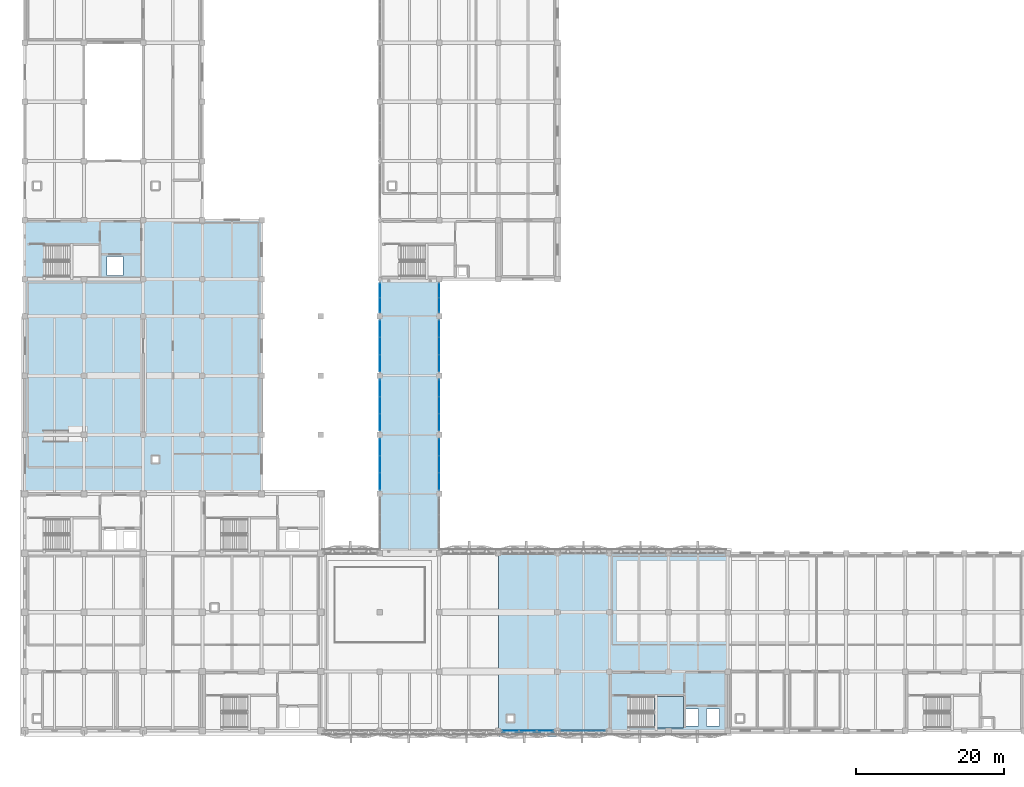
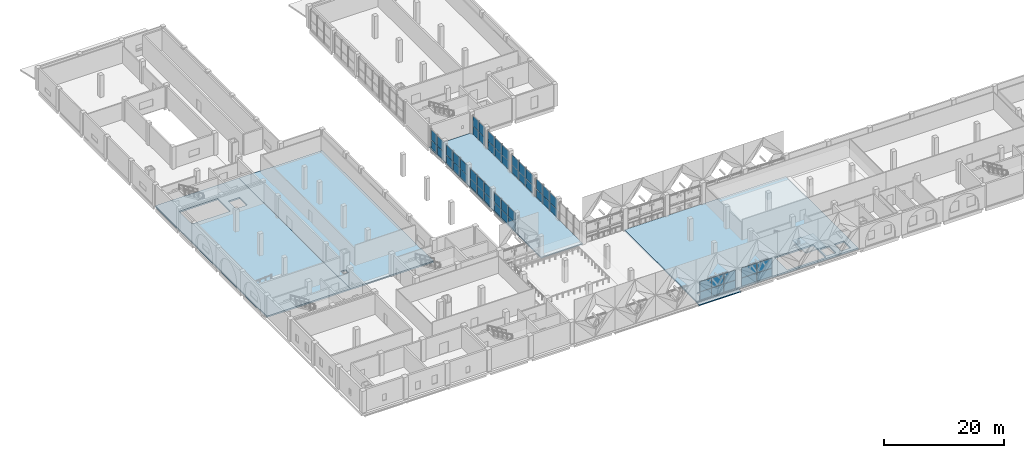
# One storey, part 23 of 53: 54 plates, 6 slabs, 12 elements without a shape of their own.
"""IFC4 building model written with IfcOpenShell, lengths in metres."""

from ifc_helpers import new_model, si_unit, direction, frame, origin, origin_2d, place, context, subcontext, project, spatial, polyline, rectangle, outline, extrude, material, layer, layer_set, type_object, element, aggregate, save


model = new_model("IFC4")

# Units and contexts
model_context = context("Model", 3, precision=1e-05, world=origin(), true_north=direction((0.0, 1.0)))
body_context = subcontext(model_context, "Body", "Model", "MODEL_VIEW")
ifc_project = project(units=[si_unit("LENGTHUNIT", "METRE"), si_unit("AREAUNIT", "SQUARE_METRE"), si_unit("VOLUMEUNIT", "CUBIC_METRE"), si_unit("PLANEANGLEUNIT", "RADIAN"), si_unit("MASSUNIT", "GRAM", prefix="KILO")], contexts=[model_context])

# Site, building, storey
site_placement = place(None, origin())
site = spatial("IfcSite", under=ifc_project, at=site_placement, CompositionType="ELEMENT")
building_placement = place(site_placement, origin())
building = spatial("IfcBuilding", under=site, at=building_placement, Name="Qorikala Patio Media Centre", CompositionType="ELEMENT")
storey_placement = place(building_placement, frame((0.0, 0.0, 5.39990234375)))
storey = spatial("IfcBuildingStorey", under=building, at=storey_placement, Name="L01", CompositionType="ELEMENT", Elevation=5.39990234375)

# Curtain wall, plates
ifc_material_1 = material(Name="Bronze Anodised Aluminium and Low-E Glass", Category="aluminium")
ifc_layer_1 = layer(ifc_material_1, 0.159912109375)
ifc_layer_set_1 = layer_set([ifc_layer_1], Name="Bronze Anodised Aluminium and Low-E Glass")
curtain_wall_type_1 = type_object("IfcCurtainWallType", Name="CW-BRG-696X385", PredefinedType="USERDEFINED", material=ifc_layer_set_1)
curtain_wall_1_placement = place(storey_placement, origin())
curtain_wall_1 = element("IfcCurtainWall", 1, at=curtain_wall_1_placement, inside=storey, type_object=curtain_wall_type_1, Name="L01 Courtyard Curtain Wall 017", ObjectType="COURTYARD CURTAIN WALL", PredefinedType="USERDEFINED")
ifc_material_2 = material(Name="Low-E Double Glazing Glass", Category="glass")
ifc_layer_2 = layer(ifc_material_2, 0.028076171875)
ifc_layer_set_2 = layer_set([ifc_layer_2], Name="Low-E Double Glazing Glass")
plate_type_1 = type_object("IfcPlateType", Name="CWP-28", PredefinedType="CURTAIN_PANEL", material=ifc_layer_set_2)
plate_1_placement = place(storey_placement, frame((51.0, 36.695068359375, 0.06005859375), z_axis=(0.0, 0.0, 1.0), x_axis=(0.0, 1.0, 0.0)))
plate_1 = element("IfcPlate", 2, at=plate_1_placement, type_object=plate_type_1, Name="CWB696385 panel 1.1", PredefinedType="CURTAIN_PANEL", context=body_context, shape_type="SweptSolid", body=[
    extrude(rectangle(XDim=2.22998046875, YDim=0.028076171875, at=origin_2d()), origin(), (0.0, 0.0, 1.0), 1.642578125),
])
plate_2_placement = place(storey_placement, frame((51.0, 36.695068359375, 1.7626953125), z_axis=(0.0, 0.0, 1.0), x_axis=(0.0, 1.0, 0.0)))
plate_2 = element("IfcPlate", 3, at=plate_2_placement, type_object=plate_type_1, Name="CWB696385 panel 1.2", PredefinedType="CURTAIN_PANEL", context=body_context, shape_type="SweptSolid", body=[
    extrude(rectangle(XDim=2.22998046875, YDim=0.028076171875, at=origin_2d()), origin(), (0.0, 0.0, 1.0), 2.027587890625),
])
plate_3_placement = place(storey_placement, frame((51.0, 39.0, 0.06005859375), z_axis=(0.0, 0.0, 1.0), x_axis=(0.0, 1.0, 0.0)))
plate_3 = element("IfcPlate", 4, at=plate_3_placement, type_object=plate_type_1, Name="CWB696385 panel 2.1", PredefinedType="CURTAIN_PANEL", context=body_context, shape_type="SweptSolid", body=[
    extrude(rectangle(XDim=2.260009765625, YDim=0.028076171875, at=origin_2d()), origin(), (0.0, 0.0, 1.0), 1.642578125),
])
plate_4_placement = place(storey_placement, frame((51.0, 39.0, 1.7626953125), z_axis=(0.0, 0.0, 1.0), x_axis=(0.0, 1.0, 0.0)))
plate_4 = element("IfcPlate", 5, at=plate_4_placement, type_object=plate_type_1, Name="CWB696385 panel 2.2", PredefinedType="CURTAIN_PANEL", context=body_context, shape_type="SweptSolid", body=[
    extrude(rectangle(XDim=2.260009765625, YDim=0.028076171875, at=origin_2d()), origin(), (0.0, 0.0, 1.0), 2.027587890625),
])
plate_5_placement = place(storey_placement, frame((51.0, 41.304931640625, 0.06005859375), z_axis=(0.0, 0.0, 1.0), x_axis=(0.0, 1.0, 0.0)))
plate_5 = element("IfcPlate", 6, at=plate_5_placement, type_object=plate_type_1, Name="CWB696385 panel 3.1", PredefinedType="CURTAIN_PANEL", context=body_context, shape_type="SweptSolid", body=[
    extrude(rectangle(XDim=2.22998046875, YDim=0.028076171875, at=origin_2d()), origin(), (0.0, 0.0, 1.0), 1.642578125),
])
plate_6_placement = place(storey_placement, frame((51.0, 41.304931640625, 1.7626953125), z_axis=(0.0, 0.0, 1.0), x_axis=(0.0, 1.0, 0.0)))
plate_6 = element("IfcPlate", 7, at=plate_6_placement, type_object=plate_type_1, Name="CWB696385 panel 3.2", PredefinedType="CURTAIN_PANEL", context=body_context, shape_type="SweptSolid", body=[
    extrude(rectangle(XDim=2.22998046875, YDim=0.028076171875, at=origin_2d()), origin(), (0.0, 0.0, 1.0), 2.027587890625),
])
aggregate(curtain_wall_1, [plate_1, plate_2, plate_3, plate_4, plate_5, plate_6])

curtain_wall_2_placement = place(storey_placement, origin())
curtain_wall_2 = element("IfcCurtainWall", 8, at=curtain_wall_2_placement, inside=storey, type_object=curtain_wall_type_1, Name="L01 Courtyard Curtain Wall 018", ObjectType="COURTYARD CURTAIN WALL", PredefinedType="USERDEFINED")
plate_7_placement = place(storey_placement, frame((51.0, 44.695068359375, 0.06005859375), z_axis=(0.0, 0.0, 1.0), x_axis=(0.0, 1.0, 0.0)))
plate_7 = element("IfcPlate", 9, at=plate_7_placement, type_object=plate_type_1, Name="CWB696385 panel 1.1", PredefinedType="CURTAIN_PANEL", context=body_context, shape_type="SweptSolid", body=[
    extrude(rectangle(XDim=2.22998046875, YDim=0.028076171875, at=origin_2d()), origin(), (0.0, 0.0, 1.0), 1.642578125),
])
plate_8_placement = place(storey_placement, frame((51.0, 44.695068359375, 1.7626953125), z_axis=(0.0, 0.0, 1.0), x_axis=(0.0, 1.0, 0.0)))
plate_8 = element("IfcPlate", 10, at=plate_8_placement, type_object=plate_type_1, Name="CWB696385 panel 1.2", PredefinedType="CURTAIN_PANEL", context=body_context, shape_type="SweptSolid", body=[
    extrude(rectangle(XDim=2.22998046875, YDim=0.028076171875, at=origin_2d()), origin(), (0.0, 0.0, 1.0), 2.027587890625),
])
plate_9_placement = place(storey_placement, frame((51.0, 47.0, 0.06005859375), z_axis=(0.0, 0.0, 1.0), x_axis=(0.0, 1.0, 0.0)))
plate_9 = element("IfcPlate", 11, at=plate_9_placement, type_object=plate_type_1, Name="CWB696385 panel 2.1", PredefinedType="CURTAIN_PANEL", context=body_context, shape_type="SweptSolid", body=[
    extrude(rectangle(XDim=2.260009765625, YDim=0.028076171875, at=origin_2d()), origin(), (0.0, 0.0, 1.0), 1.642578125),
])
plate_10_placement = place(storey_placement, frame((51.0, 47.0, 1.7626953125), z_axis=(0.0, 0.0, 1.0), x_axis=(0.0, 1.0, 0.0)))
plate_10 = element("IfcPlate", 12, at=plate_10_placement, type_object=plate_type_1, Name="CWB696385 panel 2.2", PredefinedType="CURTAIN_PANEL", context=body_context, shape_type="SweptSolid", body=[
    extrude(rectangle(XDim=2.260009765625, YDim=0.028076171875, at=origin_2d()), origin(), (0.0, 0.0, 1.0), 2.027587890625),
])
plate_11_placement = place(storey_placement, frame((51.0, 49.304931640625, 0.06005859375), z_axis=(0.0, 0.0, 1.0), x_axis=(0.0, 1.0, 0.0)))
plate_11 = element("IfcPlate", 13, at=plate_11_placement, type_object=plate_type_1, Name="CWB696385 panel 3.1", PredefinedType="CURTAIN_PANEL", context=body_context, shape_type="SweptSolid", body=[
    extrude(rectangle(XDim=2.22998046875, YDim=0.028076171875, at=origin_2d()), origin(), (0.0, 0.0, 1.0), 1.642578125),
])
plate_12_placement = place(storey_placement, frame((51.0, 49.304931640625, 1.7626953125), z_axis=(0.0, 0.0, 1.0), x_axis=(0.0, 1.0, 0.0)))
plate_12 = element("IfcPlate", 14, at=plate_12_placement, type_object=plate_type_1, Name="CWB696385 panel 3.2", PredefinedType="CURTAIN_PANEL", context=body_context, shape_type="SweptSolid", body=[
    extrude(rectangle(XDim=2.22998046875, YDim=0.028076171875, at=origin_2d()), origin(), (0.0, 0.0, 1.0), 2.027587890625),
])
aggregate(curtain_wall_2, [plate_7, plate_8, plate_9, plate_10, plate_11, plate_12])

curtain_wall_3_placement = place(storey_placement, origin())
curtain_wall_3 = element("IfcCurtainWall", 15, at=curtain_wall_3_placement, inside=storey, type_object=curtain_wall_type_1, Name="L01 Courtyard Curtain Wall 019", ObjectType="COURTYARD CURTAIN WALL", PredefinedType="USERDEFINED")
plate_13_placement = place(storey_placement, frame((51.0, 52.695068359375, 0.06005859375), z_axis=(0.0, 0.0, 1.0), x_axis=(0.0, 1.0, 0.0)))
plate_13 = element("IfcPlate", 16, at=plate_13_placement, type_object=plate_type_1, Name="CWB696385 panel 1.1", PredefinedType="CURTAIN_PANEL", context=body_context, shape_type="SweptSolid", body=[
    extrude(rectangle(XDim=2.22998046875, YDim=0.028076171875, at=origin_2d()), origin(), (0.0, 0.0, 1.0), 1.642578125),
])
plate_14_placement = place(storey_placement, frame((51.0, 52.695068359375, 1.7626953125), z_axis=(0.0, 0.0, 1.0), x_axis=(0.0, 1.0, 0.0)))
plate_14 = element("IfcPlate", 17, at=plate_14_placement, type_object=plate_type_1, Name="CWB696385 panel 1.2", PredefinedType="CURTAIN_PANEL", context=body_context, shape_type="SweptSolid", body=[
    extrude(rectangle(XDim=2.22998046875, YDim=0.028076171875, at=origin_2d()), origin(), (0.0, 0.0, 1.0), 2.027587890625),
])
plate_15_placement = place(storey_placement, frame((51.0, 55.0, 0.06005859375), z_axis=(0.0, 0.0, 1.0), x_axis=(0.0, 1.0, 0.0)))
plate_15 = element("IfcPlate", 18, at=plate_15_placement, type_object=plate_type_1, Name="CWB696385 panel 2.1", PredefinedType="CURTAIN_PANEL", context=body_context, shape_type="SweptSolid", body=[
    extrude(rectangle(XDim=2.260009765625, YDim=0.028076171875, at=origin_2d()), origin(), (0.0, 0.0, 1.0), 1.642578125),
])
plate_16_placement = place(storey_placement, frame((51.0, 55.0, 1.7626953125), z_axis=(0.0, 0.0, 1.0), x_axis=(0.0, 1.0, 0.0)))
plate_16 = element("IfcPlate", 19, at=plate_16_placement, type_object=plate_type_1, Name="CWB696385 panel 2.2", PredefinedType="CURTAIN_PANEL", context=body_context, shape_type="SweptSolid", body=[
    extrude(rectangle(XDim=2.260009765625, YDim=0.028076171875, at=origin_2d()), origin(), (0.0, 0.0, 1.0), 2.027587890625),
])
plate_17_placement = place(storey_placement, frame((51.0, 57.304931640625, 0.06005859375), z_axis=(0.0, 0.0, 1.0), x_axis=(0.0, 1.0, 0.0)))
plate_17 = element("IfcPlate", 20, at=plate_17_placement, type_object=plate_type_1, Name="CWB696385 panel 3.1", PredefinedType="CURTAIN_PANEL", context=body_context, shape_type="SweptSolid", body=[
    extrude(rectangle(XDim=2.22998046875, YDim=0.028076171875, at=origin_2d()), origin(), (0.0, 0.0, 1.0), 1.642578125),
])
plate_18_placement = place(storey_placement, frame((51.0, 57.304931640625, 1.7626953125), z_axis=(0.0, 0.0, 1.0), x_axis=(0.0, 1.0, 0.0)))
plate_18 = element("IfcPlate", 21, at=plate_18_placement, type_object=plate_type_1, Name="CWB696385 panel 3.2", PredefinedType="CURTAIN_PANEL", context=body_context, shape_type="SweptSolid", body=[
    extrude(rectangle(XDim=2.22998046875, YDim=0.028076171875, at=origin_2d()), origin(), (0.0, 0.0, 1.0), 2.027587890625),
])
aggregate(curtain_wall_3, [plate_13, plate_14, plate_15, plate_16, plate_17, plate_18])

ifc_layer_3 = layer(ifc_material_1, 0.159912109375)
ifc_layer_set_3 = layer_set([ifc_layer_3], Name="Bronze Anodised Aluminium and Low-E Glass")
curtain_wall_type_2 = type_object("IfcCurtainWallType", Name="CW-BRG-396X385", PredefinedType="USERDEFINED", material=ifc_layer_set_3)
curtain_wall_4_placement = place(storey_placement, origin())
curtain_wall_4 = element("IfcCurtainWall", 22, at=curtain_wall_4_placement, inside=storey, type_object=curtain_wall_type_2, Name="L01 Courtyard Curtain Wall 020", ObjectType="COURTYARD CURTAIN WALL", PredefinedType="USERDEFINED")
plate_19_placement = place(storey_placement, frame((51.0, 60.52490234375, 0.06005859375), z_axis=(0.0, 0.0, 1.0), x_axis=(0.0, 1.0, 0.0)))
plate_19 = element("IfcPlate", 23, at=plate_19_placement, type_object=plate_type_1, Name="CWB396385 panel 1.1", PredefinedType="CURTAIN_PANEL", context=body_context, shape_type="SweptSolid", body=[
    extrude(rectangle(XDim=1.889892578125, YDim=0.028076171875, at=origin_2d()), origin(), (0.0, 0.0, 1.0), 1.642578125),
])
plate_20_placement = place(storey_placement, frame((51.0, 60.52490234375, 1.7626953125), z_axis=(0.0, 0.0, 1.0), x_axis=(0.0, 1.0, 0.0)))
plate_20 = element("IfcPlate", 24, at=plate_20_placement, type_object=plate_type_1, Name="CWB396385 panel 1.2", PredefinedType="CURTAIN_PANEL", context=body_context, shape_type="SweptSolid", body=[
    extrude(rectangle(XDim=1.889892578125, YDim=0.028076171875, at=origin_2d()), origin(), (0.0, 0.0, 1.0), 2.027587890625),
])
plate_21_placement = place(storey_placement, frame((51.0, 62.47509765625, 0.06005859375), z_axis=(0.0, 0.0, 1.0), x_axis=(0.0, 1.0, 0.0)))
plate_21 = element("IfcPlate", 25, at=plate_21_placement, type_object=plate_type_1, Name="CWB396385 panel 2.1", PredefinedType="CURTAIN_PANEL", context=body_context, shape_type="SweptSolid", body=[
    extrude(rectangle(XDim=1.889892578125, YDim=0.028076171875, at=origin_2d()), origin(), (0.0, 0.0, 1.0), 1.642578125),
])
plate_22_placement = place(storey_placement, frame((51.0, 62.47509765625, 1.7626953125), z_axis=(0.0, 0.0, 1.0), x_axis=(0.0, 1.0, 0.0)))
plate_22 = element("IfcPlate", 26, at=plate_22_placement, type_object=plate_type_1, Name="CWB396385 panel 2.2", PredefinedType="CURTAIN_PANEL", context=body_context, shape_type="SweptSolid", body=[
    extrude(rectangle(XDim=1.889892578125, YDim=0.028076171875, at=origin_2d()), origin(), (0.0, 0.0, 1.0), 2.027587890625),
])
aggregate(curtain_wall_4, [plate_19, plate_20, plate_21, plate_22])

curtain_wall_5_placement = place(storey_placement, origin())
curtain_wall_5 = element("IfcCurtainWall", 27, at=curtain_wall_5_placement, inside=storey, type_object=curtain_wall_type_2, Name="L01 Courtyard Curtain Wall 025", ObjectType="COURTYARD CURTAIN WALL", PredefinedType="USERDEFINED")
plate_23_placement = place(storey_placement, frame((59.0, 62.47509765625, 0.06005859375), z_axis=(0.0, 0.0, 1.0), x_axis=(0.0, -1.0, 0.0)))
plate_23 = element("IfcPlate", 28, at=plate_23_placement, type_object=plate_type_1, Name="CWB396385 panel 1.1", PredefinedType="CURTAIN_PANEL", context=body_context, shape_type="SweptSolid", body=[
    extrude(rectangle(XDim=1.889892578125, YDim=0.028076171875, at=origin_2d()), origin(), (0.0, 0.0, 1.0), 1.642578125),
])
plate_24_placement = place(storey_placement, frame((59.0, 62.47509765625, 1.7626953125), z_axis=(0.0, 0.0, 1.0), x_axis=(0.0, -1.0, 0.0)))
plate_24 = element("IfcPlate", 29, at=plate_24_placement, type_object=plate_type_1, Name="CWB396385 panel 1.2", PredefinedType="CURTAIN_PANEL", context=body_context, shape_type="SweptSolid", body=[
    extrude(rectangle(XDim=1.889892578125, YDim=0.028076171875, at=origin_2d()), origin(), (0.0, 0.0, 1.0), 2.027587890625),
])
plate_25_placement = place(storey_placement, frame((59.0, 60.52490234375, 0.06005859375), z_axis=(0.0, 0.0, 1.0), x_axis=(0.0, -1.0, 0.0)))
plate_25 = element("IfcPlate", 30, at=plate_25_placement, type_object=plate_type_1, Name="CWB396385 panel 2.1", PredefinedType="CURTAIN_PANEL", context=body_context, shape_type="SweptSolid", body=[
    extrude(rectangle(XDim=1.889892578125, YDim=0.028076171875, at=origin_2d()), origin(), (0.0, 0.0, 1.0), 1.642578125),
])
plate_26_placement = place(storey_placement, frame((59.0, 60.52490234375, 1.7626953125), z_axis=(0.0, 0.0, 1.0), x_axis=(0.0, -1.0, 0.0)))
plate_26 = element("IfcPlate", 31, at=plate_26_placement, type_object=plate_type_1, Name="CWB396385 panel 2.2", PredefinedType="CURTAIN_PANEL", context=body_context, shape_type="SweptSolid", body=[
    extrude(rectangle(XDim=1.889892578125, YDim=0.028076171875, at=origin_2d()), origin(), (0.0, 0.0, 1.0), 2.027587890625),
])
aggregate(curtain_wall_5, [plate_23, plate_24, plate_25, plate_26])

curtain_wall_6_placement = place(storey_placement, origin())
curtain_wall_6 = element("IfcCurtainWall", 32, at=curtain_wall_6_placement, inside=storey, type_object=curtain_wall_type_1, Name="L01 Courtyard Curtain Wall 026", ObjectType="COURTYARD CURTAIN WALL", PredefinedType="USERDEFINED")
plate_27_placement = place(storey_placement, frame((59.0, 57.304931640625, 0.06005859375), z_axis=(0.0, 0.0, 1.0), x_axis=(0.0, -1.0, 0.0)))
plate_27 = element("IfcPlate", 33, at=plate_27_placement, type_object=plate_type_1, Name="CWB696385 panel 1.1", PredefinedType="CURTAIN_PANEL", context=body_context, shape_type="SweptSolid", body=[
    extrude(rectangle(XDim=2.22998046875, YDim=0.028076171875, at=origin_2d()), origin(), (0.0, 0.0, 1.0), 1.642578125),
])
plate_28_placement = place(storey_placement, frame((59.0, 57.304931640625, 1.7626953125), z_axis=(0.0, 0.0, 1.0), x_axis=(0.0, -1.0, 0.0)))
plate_28 = element("IfcPlate", 34, at=plate_28_placement, type_object=plate_type_1, Name="CWB696385 panel 1.2", PredefinedType="CURTAIN_PANEL", context=body_context, shape_type="SweptSolid", body=[
    extrude(rectangle(XDim=2.22998046875, YDim=0.028076171875, at=origin_2d()), origin(), (0.0, 0.0, 1.0), 2.027587890625),
])
plate_29_placement = place(storey_placement, frame((59.0, 55.0, 0.06005859375), z_axis=(0.0, 0.0, 1.0), x_axis=(0.0, -1.0, 0.0)))
plate_29 = element("IfcPlate", 35, at=plate_29_placement, type_object=plate_type_1, Name="CWB696385 panel 2.1", PredefinedType="CURTAIN_PANEL", context=body_context, shape_type="SweptSolid", body=[
    extrude(rectangle(XDim=2.260009765625, YDim=0.028076171875, at=origin_2d()), origin(), (0.0, 0.0, 1.0), 1.642578125),
])
plate_30_placement = place(storey_placement, frame((59.0, 55.0, 1.7626953125), z_axis=(0.0, 0.0, 1.0), x_axis=(0.0, -1.0, 0.0)))
plate_30 = element("IfcPlate", 36, at=plate_30_placement, type_object=plate_type_1, Name="CWB696385 panel 2.2", PredefinedType="CURTAIN_PANEL", context=body_context, shape_type="SweptSolid", body=[
    extrude(rectangle(XDim=2.260009765625, YDim=0.028076171875, at=origin_2d()), origin(), (0.0, 0.0, 1.0), 2.027587890625),
])
plate_31_placement = place(storey_placement, frame((59.0, 52.695068359375, 0.06005859375), z_axis=(0.0, 0.0, 1.0), x_axis=(0.0, -1.0, 0.0)))
plate_31 = element("IfcPlate", 37, at=plate_31_placement, type_object=plate_type_1, Name="CWB696385 panel 3.1", PredefinedType="CURTAIN_PANEL", context=body_context, shape_type="SweptSolid", body=[
    extrude(rectangle(XDim=2.22998046875, YDim=0.028076171875, at=origin_2d()), origin(), (0.0, 0.0, 1.0), 1.642578125),
])
plate_32_placement = place(storey_placement, frame((59.0, 52.695068359375, 1.7626953125), z_axis=(0.0, 0.0, 1.0), x_axis=(0.0, -1.0, 0.0)))
plate_32 = element("IfcPlate", 38, at=plate_32_placement, type_object=plate_type_1, Name="CWB696385 panel 3.2", PredefinedType="CURTAIN_PANEL", context=body_context, shape_type="SweptSolid", body=[
    extrude(rectangle(XDim=2.22998046875, YDim=0.028076171875, at=origin_2d()), origin(), (0.0, 0.0, 1.0), 2.027587890625),
])
aggregate(curtain_wall_6, [plate_27, plate_28, plate_29, plate_30, plate_31, plate_32])

curtain_wall_7_placement = place(storey_placement, origin())
curtain_wall_7 = element("IfcCurtainWall", 39, at=curtain_wall_7_placement, inside=storey, type_object=curtain_wall_type_1, Name="L01 Courtyard Curtain Wall 027", ObjectType="COURTYARD CURTAIN WALL", PredefinedType="USERDEFINED")
plate_33_placement = place(storey_placement, frame((59.0, 49.304931640625, 0.06005859375), z_axis=(0.0, 0.0, 1.0), x_axis=(0.0, -1.0, 0.0)))
plate_33 = element("IfcPlate", 40, at=plate_33_placement, type_object=plate_type_1, Name="CWB696385 panel 1.1", PredefinedType="CURTAIN_PANEL", context=body_context, shape_type="SweptSolid", body=[
    extrude(rectangle(XDim=2.22998046875, YDim=0.028076171875, at=origin_2d()), origin(), (0.0, 0.0, 1.0), 1.642578125),
])
plate_34_placement = place(storey_placement, frame((59.0, 49.304931640625, 1.7626953125), z_axis=(0.0, 0.0, 1.0), x_axis=(0.0, -1.0, 0.0)))
plate_34 = element("IfcPlate", 41, at=plate_34_placement, type_object=plate_type_1, Name="CWB696385 panel 1.2", PredefinedType="CURTAIN_PANEL", context=body_context, shape_type="SweptSolid", body=[
    extrude(rectangle(XDim=2.22998046875, YDim=0.028076171875, at=origin_2d()), origin(), (0.0, 0.0, 1.0), 2.027587890625),
])
plate_35_placement = place(storey_placement, frame((59.0, 47.0, 0.06005859375), z_axis=(0.0, 0.0, 1.0), x_axis=(0.0, -1.0, 0.0)))
plate_35 = element("IfcPlate", 42, at=plate_35_placement, type_object=plate_type_1, Name="CWB696385 panel 2.1", PredefinedType="CURTAIN_PANEL", context=body_context, shape_type="SweptSolid", body=[
    extrude(rectangle(XDim=2.260009765625, YDim=0.028076171875, at=origin_2d()), origin(), (0.0, 0.0, 1.0), 1.642578125),
])
plate_36_placement = place(storey_placement, frame((59.0, 47.0, 1.7626953125), z_axis=(0.0, 0.0, 1.0), x_axis=(0.0, -1.0, 0.0)))
plate_36 = element("IfcPlate", 43, at=plate_36_placement, type_object=plate_type_1, Name="CWB696385 panel 2.2", PredefinedType="CURTAIN_PANEL", context=body_context, shape_type="SweptSolid", body=[
    extrude(rectangle(XDim=2.260009765625, YDim=0.028076171875, at=origin_2d()), origin(), (0.0, 0.0, 1.0), 2.027587890625),
])
plate_37_placement = place(storey_placement, frame((59.0, 44.695068359375, 0.06005859375), z_axis=(0.0, 0.0, 1.0), x_axis=(0.0, -1.0, 0.0)))
plate_37 = element("IfcPlate", 44, at=plate_37_placement, type_object=plate_type_1, Name="CWB696385 panel 3.1", PredefinedType="CURTAIN_PANEL", context=body_context, shape_type="SweptSolid", body=[
    extrude(rectangle(XDim=2.22998046875, YDim=0.028076171875, at=origin_2d()), origin(), (0.0, 0.0, 1.0), 1.642578125),
])
plate_38_placement = place(storey_placement, frame((59.0, 44.695068359375, 1.7626953125), z_axis=(0.0, 0.0, 1.0), x_axis=(0.0, -1.0, 0.0)))
plate_38 = element("IfcPlate", 45, at=plate_38_placement, type_object=plate_type_1, Name="CWB696385 panel 3.2", PredefinedType="CURTAIN_PANEL", context=body_context, shape_type="SweptSolid", body=[
    extrude(rectangle(XDim=2.22998046875, YDim=0.028076171875, at=origin_2d()), origin(), (0.0, 0.0, 1.0), 2.027587890625),
])
aggregate(curtain_wall_7, [plate_33, plate_34, plate_35, plate_36, plate_37, plate_38])

curtain_wall_8_placement = place(storey_placement, origin())
curtain_wall_8 = element("IfcCurtainWall", 46, at=curtain_wall_8_placement, inside=storey, type_object=curtain_wall_type_1, Name="L01 Courtyard Curtain Wall 028", ObjectType="COURTYARD CURTAIN WALL", PredefinedType="USERDEFINED")
plate_39_placement = place(storey_placement, frame((59.0, 41.304931640625, 0.06005859375), z_axis=(0.0, 0.0, 1.0), x_axis=(0.0, -1.0, 0.0)))
plate_39 = element("IfcPlate", 47, at=plate_39_placement, type_object=plate_type_1, Name="CWB696385 panel 1.1", PredefinedType="CURTAIN_PANEL", context=body_context, shape_type="SweptSolid", body=[
    extrude(rectangle(XDim=2.22998046875, YDim=0.028076171875, at=origin_2d()), origin(), (0.0, 0.0, 1.0), 1.642578125),
])
plate_40_placement = place(storey_placement, frame((59.0, 41.304931640625, 1.7626953125), z_axis=(0.0, 0.0, 1.0), x_axis=(0.0, -1.0, 0.0)))
plate_40 = element("IfcPlate", 48, at=plate_40_placement, type_object=plate_type_1, Name="CWB696385 panel 1.2", PredefinedType="CURTAIN_PANEL", context=body_context, shape_type="SweptSolid", body=[
    extrude(rectangle(XDim=2.22998046875, YDim=0.028076171875, at=origin_2d()), origin(), (0.0, 0.0, 1.0), 2.027587890625),
])
plate_41_placement = place(storey_placement, frame((59.0, 39.0, 0.06005859375), z_axis=(0.0, 0.0, 1.0), x_axis=(0.0, -1.0, 0.0)))
plate_41 = element("IfcPlate", 49, at=plate_41_placement, type_object=plate_type_1, Name="CWB696385 panel 2.1", PredefinedType="CURTAIN_PANEL", context=body_context, shape_type="SweptSolid", body=[
    extrude(rectangle(XDim=2.260009765625, YDim=0.028076171875, at=origin_2d()), origin(), (0.0, 0.0, 1.0), 1.642578125),
])
plate_42_placement = place(storey_placement, frame((59.0, 39.0, 1.7626953125), z_axis=(0.0, 0.0, 1.0), x_axis=(0.0, -1.0, 0.0)))
plate_42 = element("IfcPlate", 50, at=plate_42_placement, type_object=plate_type_1, Name="CWB696385 panel 2.2", PredefinedType="CURTAIN_PANEL", context=body_context, shape_type="SweptSolid", body=[
    extrude(rectangle(XDim=2.260009765625, YDim=0.028076171875, at=origin_2d()), origin(), (0.0, 0.0, 1.0), 2.027587890625),
])
plate_43_placement = place(storey_placement, frame((59.0, 36.695068359375, 0.06005859375), z_axis=(0.0, 0.0, 1.0), x_axis=(0.0, -1.0, 0.0)))
plate_43 = element("IfcPlate", 51, at=plate_43_placement, type_object=plate_type_1, Name="CWB696385 panel 3.1", PredefinedType="CURTAIN_PANEL", context=body_context, shape_type="SweptSolid", body=[
    extrude(rectangle(XDim=2.22998046875, YDim=0.028076171875, at=origin_2d()), origin(), (0.0, 0.0, 1.0), 1.642578125),
])
plate_44_placement = place(storey_placement, frame((59.0, 36.695068359375, 1.7626953125), z_axis=(0.0, 0.0, 1.0), x_axis=(0.0, -1.0, 0.0)))
plate_44 = element("IfcPlate", 52, at=plate_44_placement, type_object=plate_type_1, Name="CWB696385 panel 3.2", PredefinedType="CURTAIN_PANEL", context=body_context, shape_type="SweptSolid", body=[
    extrude(rectangle(XDim=2.22998046875, YDim=0.028076171875, at=origin_2d()), origin(), (0.0, 0.0, 1.0), 2.027587890625),
])
aggregate(curtain_wall_8, [plate_39, plate_40, plate_41, plate_42, plate_43, plate_44])

ifc_material_3 = material(Name="Golden Bronze Anodised Aluminium and Low-E Glass", Category="aluminium")
ifc_layer_4 = layer(ifc_material_3, 0.159912109375)
ifc_layer_set_4 = layer_set([ifc_layer_4], Name="Golden Bronze Anodised Aluminium and Low-E Glass")
curtain_wall_type_3 = type_object("IfcCurtainWallType", Name="CW-DIA-596X385", PredefinedType="USERDEFINED", material=ifc_layer_set_4)
curtain_wall_9_placement = place(storey_placement, origin())
curtain_wall_9 = element("IfcCurtainWall", 53, at=curtain_wall_9_placement, inside=storey, type_object=curtain_wall_type_3, Name="L01 Courtyard Curtain Wall 035", ObjectType="COURTYARD CURTAIN WALL", PredefinedType="USERDEFINED")
ifc_material_4 = material(Name="Solar-Control Diamond Facet Glass", Category="glass")
ifc_layer_5 = layer(ifc_material_4, 0.035888671875)
ifc_layer_set_5 = layer_set([ifc_layer_5], Name="Solar-Control Diamond Facet Glass")
plate_type_2 = type_object("IfcPlateType", Name="CWP-36", PredefinedType="CURTAIN_PANEL", material=ifc_layer_set_5)
plate_45_placement = place(storey_placement, frame((79.9736328125, 3.0, 0.06494140625), z_axis=(0.0, 0.0, 1.0), x_axis=(-1.0, 0.0, 0.0)))
plate_45 = element("IfcPlate", 54, at=plate_45_placement, type_object=plate_type_2, Name="CWD596385 panel 1.1", PredefinedType="CURTAIN_PANEL", context=body_context, shape_type="SweptSolid", body=[
    extrude(rectangle(XDim=2.882568359375, YDim=0.035888671875, at=origin_2d()), origin(), (0.0, 0.0, 1.0), 1.635009765625),
])
plate_46_placement = place(storey_placement, frame((79.9736328125, 3.0, 1.76513671875), z_axis=(0.0, 0.0, 1.0), x_axis=(-1.0, 0.0, 0.0)))
plate_46 = element("IfcPlate", 55, at=plate_46_placement, type_object=plate_type_2, Name="CWD596385 panel 1.2", PredefinedType="CURTAIN_PANEL", context=body_context, shape_type="SweptSolid", body=[
    extrude(rectangle(XDim=2.882568359375, YDim=0.035888671875, at=origin_2d()), origin(), (0.0, 0.0, 1.0), 2.02001953125),
])
plate_47_placement = place(storey_placement, frame((77.0263671875, 3.0, 0.06494140625), z_axis=(0.0, 0.0, 1.0), x_axis=(-1.0, 0.0, 0.0)))
plate_47 = element("IfcPlate", 56, at=plate_47_placement, type_object=plate_type_2, Name="CWD596385 panel 2.1", PredefinedType="CURTAIN_PANEL", context=body_context, shape_type="SweptSolid", body=[
    extrude(rectangle(XDim=2.882568359375, YDim=0.035888671875, at=origin_2d()), origin(), (0.0, 0.0, 1.0), 1.635009765625),
])
plate_48_placement = place(storey_placement, frame((77.0263671875, 3.0, 1.76513671875), z_axis=(0.0, 0.0, 1.0), x_axis=(-1.0, 0.0, 0.0)))
plate_48 = element("IfcPlate", 57, at=plate_48_placement, type_object=plate_type_2, Name="CWD596385 panel 2.2", PredefinedType="CURTAIN_PANEL", context=body_context, shape_type="SweptSolid", body=[
    extrude(rectangle(XDim=2.882568359375, YDim=0.035888671875, at=origin_2d()), origin(), (0.0, 0.0, 1.0), 2.02001953125),
])
aggregate(curtain_wall_9, [plate_45, plate_46, plate_47, plate_48])

ifc_layer_6 = layer(ifc_material_3, 0.159912109375)
ifc_layer_set_6 = layer_set([ifc_layer_6], Name="Golden Bronze Anodised Aluminium and Low-E Glass")
curtain_wall_type_4 = type_object("IfcCurtainWallType", Name="CW-DIA-696X385", PredefinedType="USERDEFINED", material=ifc_layer_set_6)
curtain_wall_10_placement = place(storey_placement, origin())
curtain_wall_10 = element("IfcCurtainWall", 58, at=curtain_wall_10_placement, inside=storey, type_object=curtain_wall_type_4, Name="L01 Courtyard Curtain Wall 036", ObjectType="COURTYARD CURTAIN WALL", PredefinedType="USERDEFINED")
plate_49_placement = place(storey_placement, frame((73.3037109375, 3.0, 0.06494140625), z_axis=(0.0, 0.0, 1.0), x_axis=(-1.0, 0.0, 0.0)))
plate_49 = element("IfcPlate", 59, at=plate_49_placement, type_object=plate_type_2, Name="CWD696385 panel 1.1", PredefinedType="CURTAIN_PANEL", context=body_context, shape_type="SweptSolid", body=[
    extrude(rectangle(XDim=2.222412109375, YDim=0.035888671875, at=origin_2d()), origin(), (0.0, 0.0, 1.0), 1.635009765625),
])
plate_50_placement = place(storey_placement, frame((73.3037109375, 3.0, 1.76513671875), z_axis=(0.0, 0.0, 1.0), x_axis=(-1.0, 0.0, 0.0)))
plate_50 = element("IfcPlate", 60, at=plate_50_placement, type_object=plate_type_2, Name="CWD696385 panel 1.2", PredefinedType="CURTAIN_PANEL", context=body_context, shape_type="SweptSolid", body=[
    extrude(rectangle(XDim=2.222412109375, YDim=0.035888671875, at=origin_2d()), origin(), (0.0, 0.0, 1.0), 2.02001953125),
])
plate_51_placement = place(storey_placement, frame((71.0, 3.0, 0.06494140625), z_axis=(0.0, 0.0, 1.0), x_axis=(-1.0, 0.0, 0.0)))
plate_51 = element("IfcPlate", 61, at=plate_51_placement, type_object=plate_type_2, Name="CWD696385 panel 2.1", PredefinedType="CURTAIN_PANEL", context=body_context, shape_type="SweptSolid", body=[
    extrude(rectangle(XDim=2.2548828125, YDim=0.035888671875, at=origin_2d()), origin(), (0.0, 0.0, 1.0), 1.635009765625),
])
plate_52_placement = place(storey_placement, frame((71.0, 3.0, 1.76513671875), z_axis=(0.0, 0.0, 1.0), x_axis=(-1.0, 0.0, 0.0)))
plate_52 = element("IfcPlate", 62, at=plate_52_placement, type_object=plate_type_2, Name="CWD696385 panel 2.2", PredefinedType="CURTAIN_PANEL", context=body_context, shape_type="SweptSolid", body=[
    extrude(rectangle(XDim=2.2548828125, YDim=0.035888671875, at=origin_2d()), origin(), (0.0, 0.0, 1.0), 2.02001953125),
])
plate_53_placement = place(storey_placement, frame((68.6962890625, 3.0, 0.06494140625), z_axis=(0.0, 0.0, 1.0), x_axis=(-1.0, 0.0, 0.0)))
plate_53 = element("IfcPlate", 63, at=plate_53_placement, type_object=plate_type_2, Name="CWD696385 panel 3.1", PredefinedType="CURTAIN_PANEL", context=body_context, shape_type="SweptSolid", body=[
    extrude(rectangle(XDim=2.222412109375, YDim=0.035888671875, at=origin_2d()), origin(), (0.0, 0.0, 1.0), 1.635009765625),
])
plate_54_placement = place(storey_placement, frame((68.6962890625, 3.0, 1.76513671875), z_axis=(0.0, 0.0, 1.0), x_axis=(-1.0, 0.0, 0.0)))
plate_54 = element("IfcPlate", 64, at=plate_54_placement, type_object=plate_type_2, Name="CWD696385 panel 3.2", PredefinedType="CURTAIN_PANEL", context=body_context, shape_type="SweptSolid", body=[
    extrude(rectangle(XDim=2.222412109375, YDim=0.035888671875, at=origin_2d()), origin(), (0.0, 0.0, 1.0), 2.02001953125),
])
aggregate(curtain_wall_10, [plate_49, plate_50, plate_51, plate_52, plate_53, plate_54])

# Slabs
ifc_material_5 = material(Name="Concrete C35/45", Category="concrete")
ifc_layer_7 = layer(ifc_material_5, 0.219970703125)
ifc_layer_set_7 = layer_set([ifc_layer_7], Name="Concrete C35/45")
slab_type_1 = type_object("IfcSlabType", Name="SL-BRIDGE-220", PredefinedType="FLOOR", material=ifc_layer_set_7)
slab_1_placement = place(storey_placement, frame((0.0, 0.0, -0.219970703125)))
element("IfcSlab", 65, at=slab_1_placement, inside=storey, type_object=slab_type_1, Name="L01 BRG_W Slab 13.1", PredefinedType="FLOOR", context=body_context, shape_type="SweptSolid", body=[
    extrude(outline(polyline([(51.0, 27.0), (51.0, 64.0), (59.0, 64.0), (59.0, 27.0), (51.0, 27.0)])), origin(), (0.0, 0.0, 1.0), 0.219970703125),
])
ifc_layer_8 = layer(ifc_material_5, 0.300048828125)
ifc_layer_set_8 = layer_set([ifc_layer_8], Name="Concrete C35/45")
slab_type_2 = type_object("IfcSlabType", Name="SL-FLOOR-300", PredefinedType="FLOOR", material=ifc_layer_set_8)
slab_2_placement = place(storey_placement, frame((0.0, 0.0, -0.2998046875)))
element("IfcSlab", 66, at=slab_2_placement, inside=storey, type_object=slab_type_2, Name="L01 V2B Slab 4.1", PredefinedType="FLOOR", context=body_context, shape_type="SweptSolid", body=[
    extrude(outline(polyline([(98.0, 3.0), (67.0, 3.0), (67.0, 27.0), (98.0, 27.0), (98.0, 3.0)]), holes=[polyline([(68.199951171875, 4.199951171875), (69.10009765625, 4.199951171875), (69.10009765625, 5.10009765625), (68.199951171875, 5.10009765625), (68.199951171875, 4.199951171875)]), polyline([(92.320068359375, 3.669921875), (94.080078125, 3.669921875), (94.080078125, 5.929931640625), (92.320068359375, 5.929931640625), (92.320068359375, 3.669921875)]), polyline([(96.8798828125, 3.669921875), (96.8798828125, 5.929931640625), (95.1201171875, 5.929931640625), (95.1201171875, 3.669921875), (96.8798828125, 3.669921875)]), polyline([(84.60009765625, 3.39990234375), (92.0, 3.39990234375), (92.0, 7.60009765625), (84.60009765625, 7.60009765625), (84.60009765625, 3.39990234375)])]), origin(), (0.0, 0.0, 1.0), 0.2998046875),
])
slab_3_placement = place(storey_placement, frame((0.0, 0.0, -0.2998046875)))
element("IfcSlab", 67, at=slab_3_placement, inside=storey, type_object=slab_type_2, Name="L01 V3A Slab 5.1", PredefinedType="FLOOR", context=body_context, shape_type="SweptSolid", body=[
    extrude(outline(polyline([(19.0, 72.0), (19.0, 35.0), (3.0, 35.0), (3.0, 72.0), (19.0, 72.0)]), holes=[polyline([(14.1201171875, 64.52001953125), (16.280029296875, 64.52001953125), (16.280029296875, 67.080078125), (14.1201171875, 67.080078125), (14.1201171875, 64.52001953125)]), polyline([(5.60009765625, 64.39990234375), (13.0, 64.39990234375), (13.0, 68.60009765625), (5.60009765625, 68.60009765625), (5.60009765625, 64.39990234375)])]), origin(), (0.0, 0.0, 1.0), 0.2998046875),
])
slab_4_placement = place(storey_placement, frame((0.0, 0.0, -0.2998046875)))
element("IfcSlab", 68, at=slab_4_placement, inside=storey, type_object=slab_type_2, Name="L01 V3B Slab 6.1", PredefinedType="FLOOR", context=body_context, shape_type="SweptSolid", body=[
    extrude(outline(polyline([(35.0, 35.0), (27.0, 35.0), (19.0, 35.0), (19.0, 72.0), (35.0, 72.0), (35.0, 35.0)]), holes=[polyline([(20.199951171875, 39.199951171875), (21.10009765625, 39.199951171875), (21.10009765625, 40.10009765625), (20.199951171875, 40.10009765625), (20.199951171875, 39.199951171875)])]), origin(), (0.0, 0.0, 1.0), 0.2998046875),
])

# Stair, slab
ifc_material_6 = material(Name="Precast concrete C40/50", Category="concrete")
stair_type = type_object("IfcStairType", Name="ST-DL-26R173W200", PredefinedType="HALF_TURN_STAIR", material=ifc_material_6)
stair_placement = place(storey_placement, origin())
stair = element("IfcStair", 69, at=stair_placement, inside=storey, type_object=stair_type, Name="L01 Core C4 Exit Stair ST-4", PredefinedType="HALF_TURN_STAIR")
ifc_layer_9 = layer(ifc_material_6, 0.199951171875)
ifc_layer_set_9 = layer_set([ifc_layer_9], Name="Precast concrete C40/50")
slab_type_3 = type_object("IfcSlabType", Name="SL-LAND-200", PredefinedType="LANDING", material=ifc_layer_set_9)
slab_5_placement = place(storey_placement, frame((0.0, 0.0, 2.050048828125)))
slab_5 = element("IfcSlab", 70, at=slab_5_placement, type_object=slab_type_3, Name="ST-4 landing 1", PredefinedType="LANDING", context=body_context, shape_type="SweptSolid", body=[
    extrude(outline(polyline([(88.080078125, 3.39990234375), (92.0, 3.39990234375), (92.0, 7.60009765625), (88.080078125, 7.60009765625), (88.080078125, 3.39990234375)])), origin(), (0.0, 0.0, 1.0), 0.199951171875),
])
aggregate(stair, [slab_5])

# Roof, slab
ifc_material_7 = material(Name="Terracotta Clay Tile and Steel S355", Category="masonry")
roof_type = type_object("IfcRoofType", Name="ROOF-HIP", PredefinedType="HIP_ROOF", material=ifc_material_7)
roof_placement = place(storey_placement, origin())
roof = element("IfcRoof", 71, at=roof_placement, inside=storey, type_object=roof_type, Name="Avenue Entrance Canopy Bay 3", PredefinedType="HIP_ROOF")
ifc_layer_10 = layer(ifc_material_5, 0.260009765625)
ifc_layer_set_10 = layer_set([ifc_layer_10], Name="Concrete C35/45")
slab_type_4 = type_object("IfcSlabType", Name="SL-ROOF-180", PredefinedType="ROOF", material=ifc_layer_set_10)
slab_6_placement = place(storey_placement, frame((67.0, 2.219970703125, -0.2998046875), z_axis=(0.0, -0.302456649816, 0.95316314185), x_axis=(1.0, 0.0, 0.0)))
slab_6 = element("IfcSlab", 72, at=slab_6_placement, type_object=slab_type_4, Name="Entrance Canopy Laminated Roof Slab 3", PredefinedType="ROOF", context=body_context, shape_type="SweptSolid", body=[
    extrude(outline(polyline([(0.0, 0.0), (8.0, 0.0), (8.0, 0.6610903479773258), (0.0, 0.6610903479773258), (0.0, 0.0)])), origin(), (0.0, 0.0, -1.0), 0.199951171875),
])
aggregate(roof, [slab_6])

save(model, "model.ifc")
